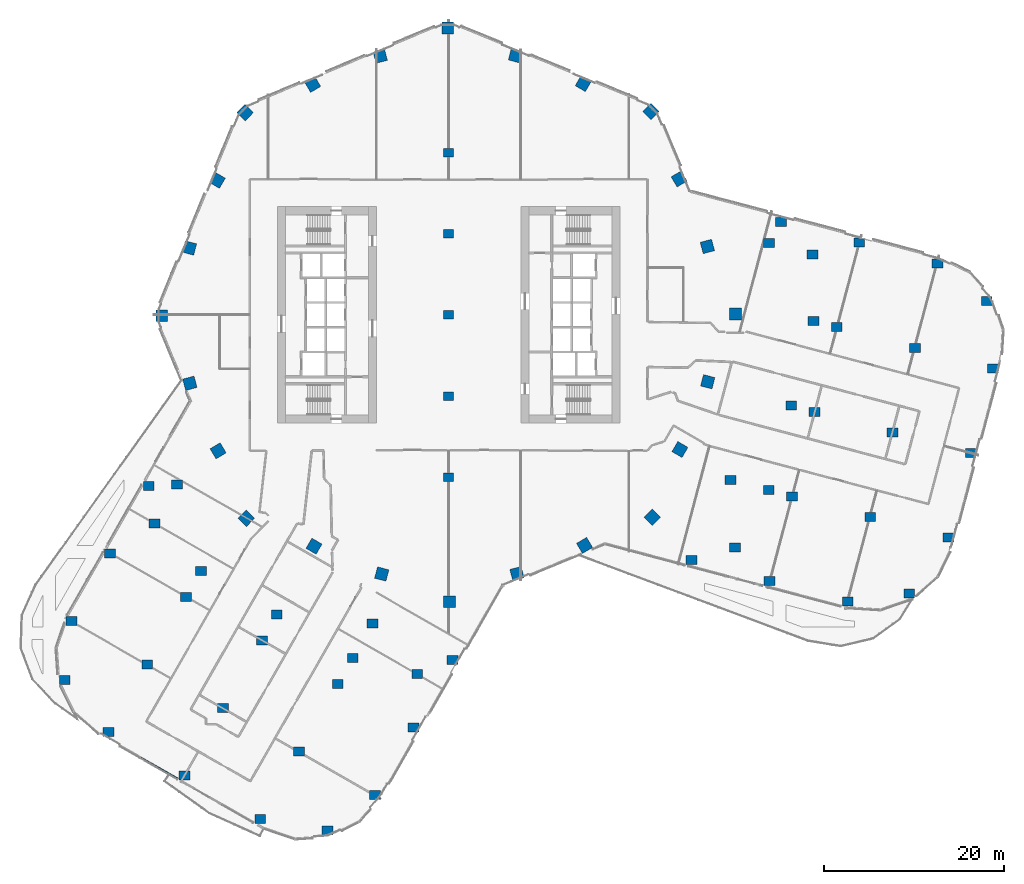
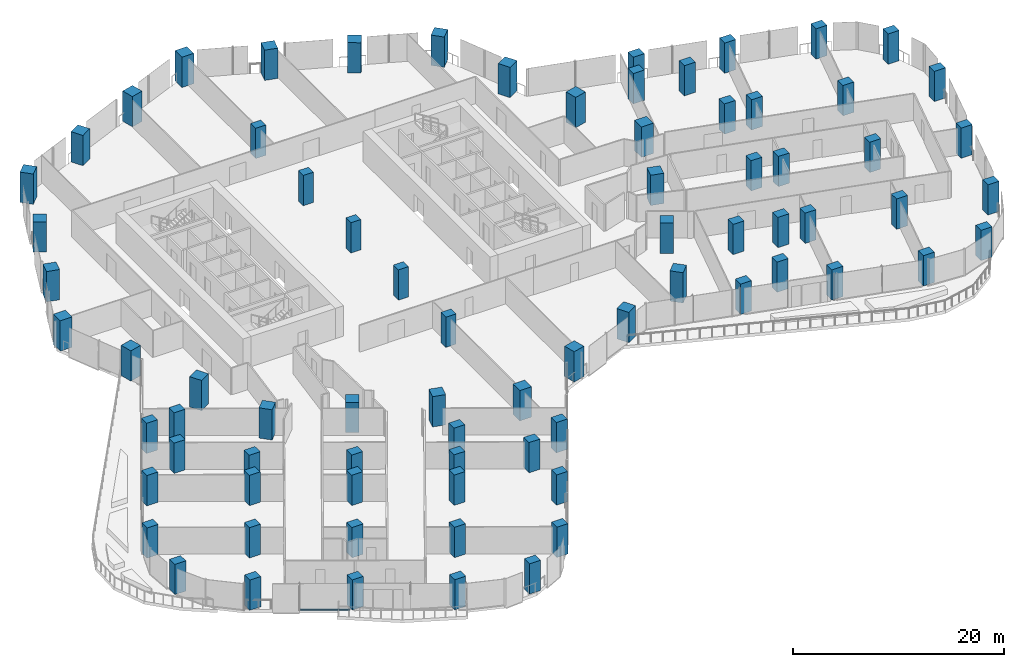
# One storey, part 1 of 34: 77 columns, 1 member, 1 element without a shape of its own.
"""IFC4 building model written with IfcOpenShell, lengths in metres."""

from ifc_helpers import new_model, si_unit, direction, frame, origin, origin_2d, place, context, subcontext, project, spatial, rectangle, extrude, material, material_profile, profile_set, type_object, element, aggregate, save


model = new_model("IFC4")

# Units and contexts
model_context = context("Model", 3, precision=1e-05, world=origin(), true_north=direction((0.0, 1.0)))
body_context = subcontext(model_context, "Body", "Model", "MODEL_VIEW")
ifc_project = project(units=[si_unit("LENGTHUNIT", "METRE"), si_unit("AREAUNIT", "SQUARE_METRE"), si_unit("VOLUMEUNIT", "CUBIC_METRE"), si_unit("PLANEANGLEUNIT", "RADIAN"), si_unit("MASSUNIT", "GRAM", prefix="KILO")], contexts=[model_context])

# Site, building, storey
site_placement = place(None, origin())
site = spatial("IfcSite", under=ifc_project, at=site_placement, CompositionType="ELEMENT")
building_placement = place(site_placement, origin())
building = spatial("IfcBuilding", under=site, at=building_placement, Name="Orlundy Tower", CompositionType="ELEMENT")
storey_placement = place(building_placement, frame((0.0, 0.0, 102.199951171875)))
storey = spatial("IfcBuildingStorey", under=building, at=storey_placement, Name="L25", CompositionType="ELEMENT", Elevation=102.199951171875)

# Columns
ifc_material_1 = material(Name="Concrete C80/95", Category="concrete")
ifc_material_profile_1 = material_profile(ifc_material_1, rectangle(XDim=1.10009765625, YDim=0.949951171875, at=origin_2d()), Name="RC1100X950")
ifc_profile_set_1 = profile_set([ifc_material_profile_1], Name="Concrete C80/95")
column_type_1 = type_object("IfcColumnType", Name="RC COLUMN RC1100X950 C80/95", PredefinedType="COLUMN", material=ifc_profile_set_1)
for number, where, z_axis, x_axis, name in (
    (1, (0.0, -18.0, 0.0), (0.0, 0.0, 1.0), (1.0, 0.0, 0.0), "Column C-M1 L25"),
    (2, (0.0, -9.0, 0.0), (0.0, 0.0, 1.0), (1.0, 0.0, 0.0), "Column C-M2 L25"),
    (3, (0.0, 0.0, 0.0), (0.0, 0.0, 1.0), (1.0, 0.0, 0.0), "Column C-M3 L25"),
    (4, (0.0, 9.0, 0.0), (0.0, 0.0, 1.0), (1.0, 0.0, 0.0), "Column C-M4 L25"),
    (5, (0.0, 18.0, 0.0), (0.0, 0.0, 1.0), (1.0, 0.0, 0.0), "Column C-M5 L25"),
):
    element("IfcColumn", number, at=place(storey_placement, frame(where, z_axis=z_axis, x_axis=x_axis)), inside=storey, type_object=column_type_1, Name=name, PredefinedType="COLUMN", context=body_context, shape_type="SweptSolid", body=[
        extrude(rectangle(XDim=1.10009765625, YDim=0.949951171875, at=origin_2d()), origin(), (0.0, 0.0, 1.0), 3.5),
    ])
ifc_material_2 = material(Name="Concrete C80/95", Category="concrete")
ifc_material_profile_2 = material_profile(ifc_material_2, rectangle(XDim=1.199951171875, YDim=1.0, at=origin_2d()), Name="RC1200X1000")
ifc_profile_set_2 = profile_set([ifc_material_profile_2], Name="Concrete C80/95")
column_type_2 = type_object("IfcColumnType", Name="RC COLUMN RC1200X1000 C80/95", PredefinedType="COLUMN", material=ifc_profile_set_2)
for number, where, z_axis, x_axis, name in (
    (6, (26.93408203125, -27.201904296875, 0.0), (0.0, 0.0, 1.0), (1.0, 0.0, 0.0), "Column C-A1-1 L25"),
    (7, (35.60205078125, -29.4970703125, 0.0), (0.0, 0.0, 1.0), (1.0, 0.0, 0.0), "Column C-A1-2 L25"),
    (8, (44.26904296875, -31.79296875, 0.0), (0.0, 0.0, 1.0), (1.0, 0.0, 0.0), "Column C-A1-3 L25"),
    (9, (51.0849609375, -30.90087890625, 0.0), (0.0, 0.0, 1.0), (1.0, 0.0, 0.0), "Column C-A1-5 L25"),
    (10, (31.7509765625, -25.781005859375, 0.0), (0.0, 0.0, 1.0), (1.0, 0.0, 0.0), "Column C-A1-6 L25"),
    (11, (38.0849609375, -20.12109375, 0.0), (0.0, 0.0, 1.0), (1.0, 0.0, 0.0), "Column C-A2-2 L25"),
    (12, (46.7529296875, -22.416015625, 0.0), (0.0, 0.0, 1.0), (1.0, 0.0, 0.0), "Column C-A2-3 L25"),
    (13, (55.4208984375, -24.7119140625, 0.0), (0.0, 0.0, 1.0), (1.0, 0.0, 0.0), "Column C-A2-5 L25"),
    (14, (35.507080078125, -19.43798828125, 0.0), (0.0, 0.0, 1.0), (1.0, 0.0, 0.0), "Column C-A2-6 L25"),
    (15, (31.25390625, -18.31103515625, 0.0), (0.0, 0.0, 1.0), (1.0, 0.0, 0.0), "Column C-A2-7 L25"),
    (16, (40.568115234375, -10.743896484375, 0.0), (0.0, 0.0, 1.0), (1.0, 0.0, 0.0), "Column C-A3-2 L25"),
    (17, (49.236083984375, -13.0390625, 0.0), (0.0, 0.0, 1.0), (1.0, 0.0, 0.0), "Column C-A3-3 L25"),
    (18, (57.904052734375, -15.3349609375, 0.0), (0.0, 0.0, 1.0), (1.0, 0.0, 0.0), "Column C-A3-5 L25"),
    (19, (37.989990234375, -10.06103515625, 0.0), (0.0, 0.0, 1.0), (1.0, 0.0, 0.0), "Column C-A3-6 L25"),
    (20, (43.051025390625, -1.366943359375, 0.0), (0.0, 0.0, 1.0), (1.0, 0.0, 0.0), "Column C-A4-2 L25"),
    (21, (51.718994140625, -3.6630859375, 0.0), (0.0, 0.0, 1.0), (1.0, 0.0, 0.0), "Column C-A4-3 L25"),
    (22, (60.386962890625, -5.9580078125, 0.0), (0.0, 0.0, 1.0), (1.0, 0.0, 0.0), "Column C-A4-5 L25"),
    (23, (40.47412109375, -0.68408203125, 0.0), (0.0, 0.0, 1.0), (1.0, 0.0, 0.0), "Column C-A4-6 L25"),
    (24, (36.866943359375, 10.304931640625, 0.0), (0.0, 0.0, 1.0), (1.0, 0.0, 0.0), "Column C-A5-1 L25"),
    (25, (45.534912109375, 8.010009765625, 0.0), (0.0, 0.0, 1.0), (1.0, 0.0, 0.0), "Column C-A5-2 L25"),
    (26, (54.202880859375, 5.714111328125, 0.0), (0.0, 0.0, 1.0), (1.0, 0.0, 0.0), "Column C-A5-3 L25"),
    (27, (59.68310546875, 1.56591796875, 0.0), (0.0, 0.0, 1.0), (1.0, 0.0, 0.0), "Column C-A5-5 L25"),
    (28, (40.35009765625, 6.68603515625, 0.0), (0.0, 0.0, 1.0), (1.0, 0.0, 0.0), "Column C-A5-6 L25"),
    (29, (35.51611328125, 7.966064453125, 0.0), (0.0, 0.0, 1.0), (1.0, 0.0, 0.0), "Column C-A5-7 L25"),
    (30, (-33.24609375, -18.97607421875, 0.0), (0.0, 0.0, 1.0), (1.0, 0.0, 0.0), "Column C-B1-1 L25"),
    (31, (-37.541015625, -26.465087890625, 0.0), (0.0, 0.0, 1.0), (1.0, 0.0, 0.0), "Column C-B1-2 L25"),
    (32, (-41.83203125, -33.9560546875, 0.0), (0.0, 0.0, 1.0), (1.0, 0.0, 0.0), "Column C-B1-3 L25"),
    (33, (-42.572021484375, -40.47900390625, 0.0), (0.0, 0.0, 1.0), (1.0, 0.0, 0.0), "Column C-B1-5 L25"),
    (34, (-32.623046875, -23.12890625, 0.0), (0.0, 0.0, 1.0), (1.0, 0.0, 0.0), "Column C-B1-6 L25"),
    (35, (-30.135009765625, -18.7919921875, 0.0), (0.0, 0.0, 1.0), (1.0, 0.0, 0.0), "Column C-B1-7 L25"),
    (36, (-29.1259765625, -31.2900390625, 0.0), (0.0, 0.0, 1.0), (1.0, 0.0, 0.0), "Column C-B2-2 L25"),
    (37, (-33.4208984375, -38.780029296875, 0.0), (0.0, 0.0, 1.0), (1.0, 0.0, 0.0), "Column C-B2-3 L25"),
    (38, (-37.716064453125, -46.26904296875, 0.0), (0.0, 0.0, 1.0), (1.0, 0.0, 0.0), "Column C-B2-5 L25"),
    (39, (-27.468017578125, -28.39892578125, 0.0), (0.0, 0.0, 1.0), (1.0, 0.0, 0.0), "Column C-B2-6 L25"),
    (40, (-20.7119140625, -36.115966796875, 0.0), (0.0, 0.0, 1.0), (1.0, 0.0, 0.0), "Column C-B3-2 L25"),
    (41, (-25.007080078125, -43.60498046875, 0.0), (0.0, 0.0, 1.0), (1.0, 0.0, 0.0), "Column C-B3-3 L25"),
    (42, (-29.301025390625, -51.093994140625, 0.0), (0.0, 0.0, 1.0), (1.0, 0.0, 0.0), "Column C-B3-5 L25"),
    (43, (-19.052978515625, -33.22412109375, 0.0), (0.0, 0.0, 1.0), (1.0, 0.0, 0.0), "Column C-B3-6 L25"),
    (44, (-12.297119140625, -40.94091796875, 0.0), (0.0, 0.0, 1.0), (1.0, 0.0, 0.0), "Column C-B4-2 L25"),
    (45, (-16.592041015625, -48.430908203125, 0.0), (0.0, 0.0, 1.0), (1.0, 0.0, 0.0), "Column C-B4-3 L25"),
    (46, (-20.886962890625, -55.919921875, 0.0), (0.0, 0.0, 1.0), (1.0, 0.0, 0.0), "Column C-B4-5 L25"),
    (47, (-10.638916015625, -38.050048828125, 0.0), (0.0, 0.0, 1.0), (1.0, 0.0, 0.0), "Column C-B4-6 L25"),
    (48, (-8.449951171875, -34.23291015625, 0.0), (0.0, 0.0, 1.0), (1.0, 0.0, 0.0), "Column C-B4-7 L25"),
    (49, (0.412109375, -38.278076171875, 0.0), (0.0, 0.0, 1.0), (1.0, 0.0, 0.0), "Column C-B5-1 L25"),
    (50, (-3.883056640625, -45.76708984375, 0.0), (0.0, 0.0, 1.0), (1.0, 0.0, 0.0), "Column C-B5-2 L25"),
    (51, (-8.180908203125, -53.25390625, 0.0), (0.0, 0.0, 1.0), (1.0, 0.0, 0.0), "Column C-B5-3 L25"),
    (52, (-13.43701171875, -57.18701171875, 0.0), (0.0, 0.0, 1.0), (1.0, 0.0, 0.0), "Column C-B5-5 L25"),
    (53, (-3.487060546875, -39.837890625, 0.0), (0.0, 0.0, 1.0), (1.0, 0.0, 0.0), "Column C-B5-6 L25"),
):
    element("IfcColumn", number, at=place(storey_placement, frame(where, z_axis=z_axis, x_axis=x_axis)), inside=storey, type_object=column_type_2, Name=name, PredefinedType="COLUMN", context=body_context, shape_type="SweptSolid", body=[
        extrude(rectangle(XDim=1.199951171875, YDim=1.0, at=origin_2d()), origin(), (0.0, 0.0, 1.0), 3.5),
    ])
ifc_material_3 = material(Name="Concrete C80/95", Category="concrete")
ifc_material_profile_3 = material_profile(ifc_material_3, rectangle(XDim=1.300048828125, YDim=1.300048828125, at=origin_2d()), Name="RC1300X1300")
ifc_profile_set_3 = profile_set([ifc_material_profile_3], Name="Concrete C80/95")
column_type_3 = type_object("IfcColumnType", Name="RC COLUMN RC1300X1300 C80/95", PredefinedType="COLUMN", material=ifc_profile_set_3)
for number, where, z_axis, x_axis, name in (
    (54, (22.43603515625, 22.56689453125, 0.0), (0.0, 0.0, 1.0), (0.705042776473, 0.709164778696, 0.0), "Column C-H01 L25"),
    (55, (25.56494140625, 15.075927734375, 0.0), (0.0, 0.0, 1.0), (0.86138102753, 0.507959373781, 0.0), "Column C-H02 L25"),
    (56, (28.694091796875, 7.583984375, 0.0), (0.0, 0.0, 1.0), (0.966801093075, 0.25553012822, 0.0), "Column C-H03 L25"),
    (57, (31.822021484375, 0.093017578125, 0.0), (0.0, 0.0, 1.0), (0.999995752265, 0.002914695724, 0.0), "Column C-H04 L25"),
    (58, (28.737060546875, -7.4169921875, 0.0), (0.0, 0.0, 1.0), (0.968269883519, -0.249906847984, 0.0), "Column C-H05 L25"),
    (59, (25.652099609375, -14.927001953125, 0.0), (0.0, 0.0, 1.0), (0.864318695434, -0.50294452251, 0.0), "Column C-H06 L25"),
    (60, (22.56689453125, -22.43603515625, 0.0), (0.0, 0.0, 1.0), (0.709164778696, -0.705042776473, 0.0), "Column C-H07 L25"),
    (61, (15.075927734375, -25.56494140625, 0.0), (0.0, 0.0, 1.0), (0.507959373781, -0.86138102753, 0.0), "Column C-H08 L25"),
    (62, (7.583984375, -28.694091796875, 0.0), (0.0, 0.0, 1.0), (0.25553012822, -0.966801093075, 0.0), "Column C-H09 L25"),
    (63, (0.093017578125, -31.822021484375, 0.0), (0.0, 0.0, 1.0), (0.002914695724, -0.999995752265, 0.0), "Column C-H10 L25"),
    (64, (-7.4169921875, -28.737060546875, 0.0), (0.0, 0.0, 1.0), (-0.249906847984, -0.968269883519, 0.0), "Column C-H11 L25"),
    (65, (-14.927001953125, -25.652099609375, 0.0), (0.0, 0.0, 1.0), (-0.50294452251, -0.864318695434, 0.0), "Column C-H12 L25"),
    (66, (-22.43603515625, -22.56689453125, 0.0), (0.0, 0.0, 1.0), (-0.705042776473, -0.709164778696, 0.0), "Column C-H13 L25"),
    (67, (-25.56494140625, -15.075927734375, 0.0), (0.0, 0.0, 1.0), (-0.86138102753, -0.507959373781, 0.0), "Column C-H14 L25"),
    (68, (-28.694091796875, -7.583984375, 0.0), (0.0, 0.0, 1.0), (-0.966801093075, -0.25553012822, 0.0), "Column C-H15 L25"),
    (69, (-31.822021484375, -0.093017578125, 0.0), (0.0, 0.0, 1.0), (-0.999995752265, -0.002914695724, 0.0), "Column C-H16 L25"),
    (70, (-28.737060546875, 7.4169921875, 0.0), (0.0, 0.0, 1.0), (-0.968269883519, 0.249906847984, 0.0), "Column C-H17 L25"),
    (71, (-25.652099609375, 14.927001953125, 0.0), (0.0, 0.0, 1.0), (-0.864318695434, 0.50294452251, 0.0), "Column C-H18 L25"),
    (72, (-22.56689453125, 22.43603515625, 0.0), (0.0, 0.0, 1.0), (-0.709164778696, 0.705042776473, 0.0), "Column C-H19 L25"),
    (73, (-15.075927734375, 25.56494140625, 0.0), (0.0, 0.0, 1.0), (-0.507959373781, 0.86138102753, 0.0), "Column C-H20 L25"),
    (74, (-7.583984375, 28.694091796875, 0.0), (0.0, 0.0, 1.0), (-0.25553012822, 0.966801093075, 0.0), "Column C-H21 L25"),
    (75, (-0.093017578125, 31.822021484375, 0.0), (0.0, 0.0, 1.0), (-0.002914695724, 0.999995752265, 0.0), "Column C-H22 L25"),
    (76, (7.4169921875, 28.737060546875, 0.0), (0.0, 0.0, 1.0), (0.249906847984, 0.968269883519, 0.0), "Column C-H23 L25"),
    (77, (14.927001953125, 25.652099609375, 0.0), (0.0, 0.0, 1.0), (0.50294452251, 0.864318695434, 0.0), "Column C-H24 L25"),
):
    element("IfcColumn", number, at=place(storey_placement, frame(where, z_axis=z_axis, x_axis=x_axis)), inside=storey, type_object=column_type_3, Name=name, PredefinedType="COLUMN", context=body_context, shape_type="SweptSolid", body=[
        extrude(rectangle(XDim=1.300048828125, YDim=1.300048828125, at=origin_2d()), origin(), (0.0, 0.0, 1.0), 3.5),
    ])

# Curtain wall, member
ifc_material_4 = material(Name="Aluminium bronze anodised", Category="aluminium")
curtain_wall_type = type_object("IfcCurtainWallType", Name="CW1 wall", PredefinedType="NOTDEFINED", material=ifc_material_4)
curtain_wall_placement = place(storey_placement, origin())
curtain_wall = element("IfcCurtainWall", 78, at=curtain_wall_placement, inside=storey, type_object=curtain_wall_type, Name="CW1 run 07", PredefinedType="NOTDEFINED")
ifc_material_5 = material(Name="Aluminium bronze anodised", Category="aluminium")
ifc_material_profile_4 = material_profile(ifc_material_5, rectangle(XDim=0.179931640625, YDim=0.1201171875, at=origin_2d()), Name="CW1 transom 180x120")
ifc_profile_set_4 = profile_set([ifc_material_profile_4], Name="Aluminium bronze anodised")
member_type = type_object("IfcMemberType", Name="CW1 transom 180x120", PredefinedType="USERDEFINED", material=ifc_profile_set_4)
member_placement = place(storey_placement, frame((-30.051025390625, -51.459228515625, 0.06005859375), z_axis=(-0.867480808164, 0.497470649856, 0.0), x_axis=(-0.497470649856, -0.867480808164, 0.0)))
member = element("IfcMember", 79, at=member_placement, type_object=member_type, Name="CW1 transom", ObjectType="TRANSOM", PredefinedType="USERDEFINED", context=body_context, shape_type="SweptSolid", body=[
    extrude(rectangle(XDim=0.179931640625, YDim=0.1201171875, at=origin_2d()), origin(), (0.0, 0.0, 1.0), 4.756103515625),
])
aggregate(curtain_wall, [member])

save(model, "model.ifc")
